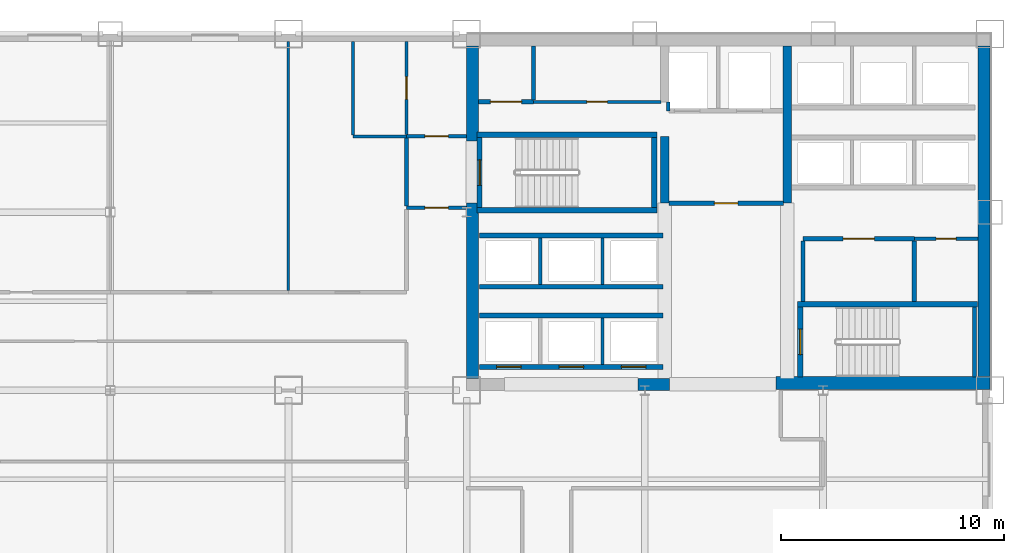
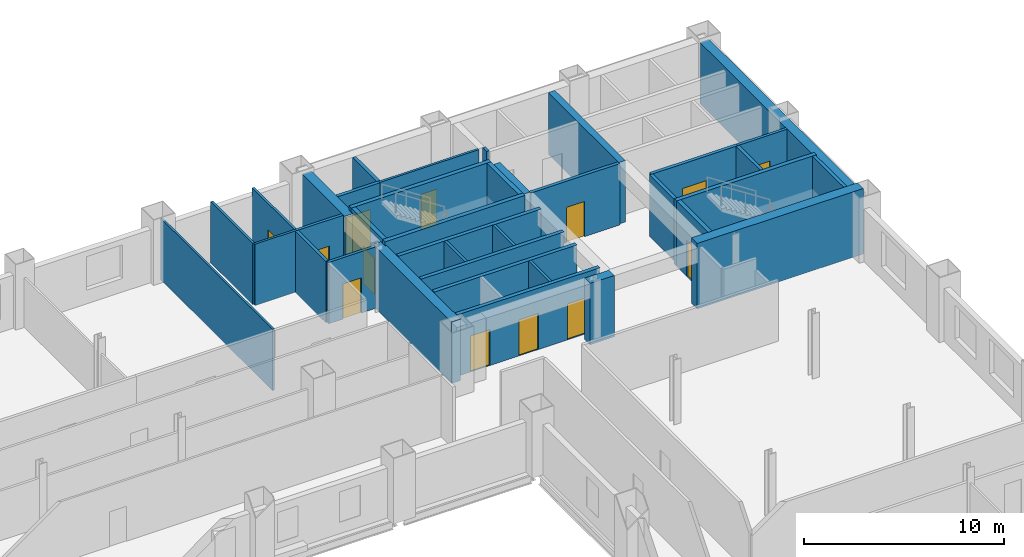
# One storey, part 6 of 9: 37 walls, 13 doors, 13 openings.
"""IFC4 building model written with IfcOpenShell, lengths in metres."""

from ifc_helpers import new_model, si_unit, direction, frame, frame_2d, origin, place, context, subcontext, project, spatial, rectangle, extrude, material, layer, layer_set, type_object, element, fill, save


model = new_model("IFC4")

# Units and contexts
model_context = context("Model", 3, precision=1e-05, world=origin(), true_north=direction((0.0, 1.0)))
body_context = subcontext(model_context, "Body", "Model", "MODEL_VIEW")
ifc_project = project(units=[si_unit("LENGTHUNIT", "METRE"), si_unit("AREAUNIT", "SQUARE_METRE"), si_unit("VOLUMEUNIT", "CUBIC_METRE"), si_unit("PLANEANGLEUNIT", "RADIAN"), si_unit("MASSUNIT", "GRAM", prefix="KILO")], contexts=[model_context])

# Site, building, storey
site_placement = place(None, origin())
site = spatial("IfcSite", under=ifc_project, at=site_placement, CompositionType="ELEMENT")
building_placement = place(site_placement, origin())
building = spatial("IfcBuilding", under=site, at=building_placement, Name="Qianrong Seaharbour Tower", CompositionType="ELEMENT")
storey_placement = place(building_placement, frame((0.0, 0.0, 48.199951171875)))
storey = spatial("IfcBuildingStorey", under=building, at=storey_placement, Name="L11", CompositionType="ELEMENT", Elevation=48.199951171875)

# Walls
ifc_material_1 = material(Name="Concrete C70/85", Category="concrete")
ifc_layer_1 = layer(ifc_material_1, 0.5400390625)
ifc_layer_set_1 = layer_set([ifc_layer_1], Name="Concrete C70/85")
wall_type_1 = type_object("IfcWallType", Name="WALL-CORE-540", PredefinedType="SHEAR", material=ifc_layer_set_1)
wall_1_placement = place(storey_placement, frame((63.72998046875, 36.320068359375, 0.0), z_axis=(0.0, 0.0, 1.0), x_axis=(0.0, 1.0, 0.0)))
element("IfcWall", 1, at=wall_1_placement, inside=storey, type_object=wall_type_1, Name="L11 East Core Shear Wall", PredefinedType="SHEAR", context=body_context, shape_type="SweptSolid", body=[
    extrude(rectangle(XDim=15.139892578125, YDim=0.5400390625, at=frame_2d((7.56982421875, 0.0))), origin(), (0.0, 0.0, 1.0), 3.75),
])
wall_2_placement = place(storey_placement, frame((40.77001953125, 36.5400390625, 0.0), z_axis=(0.0, 0.0, 1.0), x_axis=(0.0, 1.0, 0.0)))
element("IfcWall", 2, at=wall_2_placement, inside=storey, type_object=wall_type_1, Name="L11 West Core Shear Wall South", PredefinedType="SHEAR", context=body_context, shape_type="SweptSolid", body=[
    extrude(rectangle(XDim=7.85986328125, YDim=0.5400390625, at=frame_2d((3.929931640625, 0.0))), origin(), (0.0, 0.0, 1.0), 3.75),
])
wall_3_placement = place(storey_placement, frame((40.77001953125, 47.199951171875, 0.0), z_axis=(0.0, 0.0, 1.0), x_axis=(0.0, 1.0, 0.0)))
element("IfcWall", 3, at=wall_3_placement, inside=storey, type_object=wall_type_1, Name="L11 West Core Shear Wall North", PredefinedType="SHEAR", context=body_context, shape_type="SweptSolid", body=[
    extrude(rectangle(XDim=4.260009765625, YDim=0.5400390625, at=frame_2d((2.1298828125, 0.0))), origin(), (0.0, 0.0, 1.0), 3.75),
])
wall_4_placement = place(storey_placement, frame((48.199951171875, 36.27001953125, 0.0), z_axis=(0.0, 0.0, 1.0), x_axis=(1.0, 0.0, 0.0)))
element("IfcWall", 4, at=wall_4_placement, inside=storey, type_object=wall_type_1, Name="L11 South Core Shear Wall S2", PredefinedType="SHEAR", context=body_context, shape_type="SweptSolid", body=[
    extrude(rectangle(XDim=1.400146484375, YDim=0.5400390625, at=frame_2d((0.7001953125, 0.0))), origin(), (0.0, 0.0, 1.0), 3.75),
])
ifc_layer_2 = layer(ifc_material_1, 0.580078125)
ifc_layer_set_2 = layer_set([ifc_layer_2], Name="Concrete C70/85")
wall_type_2 = type_object("IfcWallType", Name="WALL-CORE-580", PredefinedType="SHEAR", material=ifc_layer_set_2)
wall_5_placement = place(storey_placement, frame((54.39990234375, 36.320068359375, 0.0), z_axis=(0.0, 0.0, 1.0), x_axis=(1.0, 0.0, 0.0)))
element("IfcWall", 5, at=wall_5_placement, inside=storey, type_object=wall_type_2, Name="L11 South Core Shear Wall S3", PredefinedType="SHEAR", context=body_context, shape_type="SweptSolid", body=[
    extrude(rectangle(XDim=9.60009765625, YDim=0.580078125, at=frame_2d((4.800048828125, 0.0))), origin(), (0.0, 0.0, 1.0), 4.0),
])
ifc_material_2 = material(Name="Concrete C60/75", Category="concrete")
ifc_layer_3 = layer(ifc_material_2, 0.3798828125)
ifc_layer_set_3 = layer_set([ifc_layer_3], Name="Concrete C60/75")
wall_type_3 = type_object("IfcWallType", Name="WALL-CORE-INT-380", PredefinedType="SHEAR", material=ifc_layer_set_3)
wall_6_placement = place(storey_placement, frame((49.39990234375, 44.39990234375, 0.0), z_axis=(0.0, 0.0, 1.0), x_axis=(0.0, 1.0, 0.0)))
element("IfcWall", 6, at=wall_6_placement, inside=storey, type_object=wall_type_3, Name="L11 Internal Core Shear Wall IW1N1", PredefinedType="SHEAR", context=body_context, shape_type="SweptSolid", body=[
    extrude(rectangle(XDim=3.0, YDim=0.3798828125, at=frame_2d((1.5, 0.0))), origin(), (0.0, 0.0, 1.0), 3.75),
])
wall_7_placement = place(storey_placement, frame((54.89990234375, 44.39990234375, 0.0), z_axis=(0.0, 0.0, 1.0), x_axis=(0.0, 1.0, 0.0)))
element("IfcWall", 7, at=wall_7_placement, inside=storey, type_object=wall_type_3, Name="L11 Internal Core Shear Wall IW2N", PredefinedType="SHEAR", context=body_context, shape_type="SweptSolid", body=[
    extrude(rectangle(XDim=7.06005859375, YDim=0.3798828125, at=frame_2d((3.530029296875, 0.0))), origin(), (0.0, 0.0, 1.0), 3.75),
])

# Wall, opening, door
ifc_material_3 = material(Name="Fire-rated acoustic gypsum board partition")
ifc_layer_4 = layer(ifc_material_3, 0.1650390625)
ifc_layer_set_4 = layer_set([ifc_layer_4], Name="Fire-rated acoustic gypsum board partition")
wall_type_4 = type_object("IfcWallType", Name="WALL-CORR-PART-165", PredefinedType="PARTITIONING", material=ifc_layer_set_4)
wall_8_placement = place(storey_placement, frame((37.800048828125, 47.39990234375, 0.0), z_axis=(0.0, 0.0, 1.0), x_axis=(1.0, 0.0, 0.0)))
wall_8 = element("IfcWall", 8, at=wall_8_placement, inside=storey, type_object=wall_type_4, Name="L11 Interior Partition Wall 001", PredefinedType="PARTITIONING", context=body_context, shape_type="SweptSolid", body=[
    extrude(rectangle(XDim=2.699951171875, YDim=0.1650390625, at=frame_2d((1.35009765625, 0.0))), origin(), (0.0, 0.0, 1.0), 3.75),
])
opening_1_placement = place(wall_8_placement, frame((0.824951171875, 0.0, 0.0)))
opening_1 = element("IfcOpeningElement", 9, at=opening_1_placement, cuts=wall_8, Name="Opening DC-01", PredefinedType="OPENING", context=body_context, shape_type="SweptSolid", body=[
    extrude(rectangle(XDim=1.050048828125, YDim=2.14990234375, at=frame_2d((0.52490234375, 1.074951171875))), frame((0.0, 0.092529296875, 0.0), z_axis=(0.0, -1.0, 0.0), x_axis=(1.0, 0.0, 0.0)), (0.0, 0.0, 1.0), 0.18505859375),
])
ifc_material_4 = material(Name="Acoustic timber and galvanized steel fire door assembly", Category="steel")
door_type_1 = type_object("IfcDoorType", Name="DOOR-CORR-FD60-1050x2150", OperationType="NOTDEFINED", PredefinedType="DOOR", material=ifc_material_4)
door_1_placement = place(opening_1_placement, origin())
door_1 = element("IfcDoor", 10, at=door_1_placement, inside=storey, type_object=door_type_1, Name="L11 Smokeproof Stair Vestibule ST-1 Door", OperationType="SINGLE_SWING_RIGHT", OverallHeight=2.14990234375, OverallWidth=1.050048828125, PredefinedType="DOOR", context=body_context, shape_type="SweptSolid", body=[
    extrude(rectangle(XDim=1.050048828125, YDim=2.14990234375, at=frame_2d((0.52490234375, 1.074951171875))), frame((0.0, 0.02490234375, 0.0), z_axis=(0.0, -1.0, 0.0), x_axis=(1.0, 0.0, 0.0)), (0.0, 0.0, 1.0), 0.050048828125),
])
fill(opening_1, door_1)

wall_9_placement = place(storey_placement, frame((40.5, 44.199951171875, 0.0), z_axis=(0.0, 0.0, 1.0), x_axis=(-1.0, 0.0, 0.0)))
wall_9 = element("IfcWall", 11, at=wall_9_placement, inside=storey, type_object=wall_type_4, Name="L11 Interior Partition Wall 002", PredefinedType="PARTITIONING", context=body_context, shape_type="SweptSolid", body=[
    extrude(rectangle(XDim=2.699951171875, YDim=0.1650390625, at=frame_2d((1.35009765625, 0.0))), origin(), (0.0, 0.0, 1.0), 3.75),
])
opening_2_placement = place(wall_9_placement, frame((0.824951171875, 0.0, 0.0)))
opening_2 = element("IfcOpeningElement", 12, at=opening_2_placement, cuts=wall_9, Name="Opening DC-01", PredefinedType="OPENING", context=body_context, shape_type="SweptSolid", body=[
    extrude(rectangle(XDim=1.050048828125, YDim=2.14990234375, at=frame_2d((0.52490234375, 1.074951171875))), frame((0.0, 0.092529296875, 0.0), z_axis=(0.0, -1.0, 0.0), x_axis=(1.0, 0.0, 0.0)), (0.0, 0.0, 1.0), 0.18505859375),
])
door_2_placement = place(opening_2_placement, origin())
door_2 = element("IfcDoor", 13, at=door_2_placement, inside=storey, type_object=door_type_1, Name="L11 Smokeproof Stair Vestibule ST-1 Door", OperationType="SINGLE_SWING_LEFT", OverallHeight=2.14990234375, OverallWidth=1.050048828125, PredefinedType="DOOR", context=body_context, shape_type="SweptSolid", body=[
    extrude(rectangle(XDim=1.050048828125, YDim=2.14990234375, at=frame_2d((0.52490234375, 1.074951171875))), frame((0.0, 0.02490234375, 0.0), z_axis=(0.0, -1.0, 0.0), x_axis=(1.0, 0.0, 0.0)), (0.0, 0.0, 1.0), 0.050048828125),
])
fill(opening_2, door_2)

# Wall
wall_10_placement = place(storey_placement, frame((37.800048828125, 44.2744140625, 0.0), z_axis=(0.0, 0.0, 1.0), x_axis=(0.0, 1.0, 0.0)))
element("IfcWall", 14, at=wall_10_placement, inside=storey, type_object=wall_type_4, Name="L11 Interior Partition Wall 003", PredefinedType="PARTITIONING", context=body_context, shape_type="SweptSolid", body=[
    extrude(rectangle(XDim=3.051025390625, YDim=0.1650390625, at=frame_2d((1.525390625, 0.0))), origin(), (0.0, 0.0, 1.0), 3.75),
])

# Wall, opening, door
wall_11_placement = place(storey_placement, frame((63.4599609375, 42.800048828125, 0.0), z_axis=(0.0, 0.0, 1.0), x_axis=(-1.0, 0.0, 0.0)))
wall_11 = element("IfcWall", 15, at=wall_11_placement, inside=storey, type_object=wall_type_4, Name="L11 Interior Partition Wall 012", PredefinedType="PARTITIONING", context=body_context, shape_type="SweptSolid", body=[
    extrude(rectangle(XDim=2.85986328125, YDim=0.1650390625, at=frame_2d((1.429931640625, 0.0))), origin(), (0.0, 0.0, 1.0), 3.75),
])
opening_3_placement = place(wall_11_placement, frame((0.97998046875, 0.0, 0.0)))
opening_3 = element("IfcOpeningElement", 16, at=opening_3_placement, cuts=wall_11, Name="Opening DS-01", PredefinedType="OPENING", context=body_context, shape_type="SweptSolid", body=[
    extrude(rectangle(XDim=0.89990234375, YDim=2.14990234375, at=frame_2d((0.449951171875, 1.074951171875))), frame((0.0, 0.092529296875, 0.0), z_axis=(0.0, -1.0, 0.0), x_axis=(1.0, 0.0, 0.0)), (0.0, 0.0, 1.0), 0.18505859375),
])
door_type_2 = type_object("IfcDoorType", Name="DOOR-STORE-900x2150", OperationType="NOTDEFINED", PredefinedType="DOOR", material=ifc_material_4)
door_3_placement = place(opening_3_placement, origin())
door_3 = element("IfcDoor", 17, at=door_3_placement, inside=storey, type_object=door_type_2, Name="L11 Housekeeping Linen Store Door", OperationType="SINGLE_SWING_LEFT", OverallHeight=2.14990234375, OverallWidth=0.89990234375, PredefinedType="DOOR", context=body_context, shape_type="SweptSolid", body=[
    extrude(rectangle(XDim=0.89990234375, YDim=2.14990234375, at=frame_2d((0.449951171875, 1.074951171875))), frame((0.0, 0.02490234375, 0.0), z_axis=(0.0, -1.0, 0.0), x_axis=(1.0, 0.0, 0.0)), (0.0, 0.0, 1.0), 0.050048828125),
])
fill(opening_3, door_3)

# Wall
ifc_material_5 = material(Name="Demountable aluminium-framed acoustic office partition", Category="aluminium")
ifc_layer_5 = layer(ifc_material_5, 0.110107421875)
ifc_layer_set_5 = layer_set([ifc_layer_5], Name="Demountable aluminium-framed acoustic office partition")
wall_type_5 = type_object("IfcWallType", Name="WALL-DEMOUNT-110", PredefinedType="MOVABLE", material=ifc_layer_set_5)
wall_12_placement = place(storey_placement, frame((32.5, 51.66796875, 0.0), z_axis=(0.0, 0.0, 1.0), x_axis=(0.0, -1.0, 0.0)))
element("IfcWall", 18, at=wall_12_placement, inside=storey, type_object=wall_type_5, Name="L11 Interior Partition Wall 040", PredefinedType="MOVABLE", context=body_context, shape_type="SweptSolid", body=[
    extrude(rectangle(XDim=11.193359375, YDim=0.110107421875, at=frame_2d((5.5966796875, 0.0))), origin(), (0.0, 0.0, 1.0), 3.75),
])

# Wall, opening, door
ifc_material_6 = material(Name="Double fire-rated gypsum board acoustic partition")
ifc_layer_6 = layer(ifc_material_6, 0.18994140625)
ifc_layer_set_6 = layer_set([ifc_layer_6], Name="Double fire-rated gypsum board acoustic partition")
wall_type_6 = type_object("IfcWallType", Name="WALL-FIRE-PART-190", PredefinedType="PARTITIONING", material=ifc_layer_set_6)
wall_13_placement = place(storey_placement, frame((41.0400390625, 48.949951171875, 0.0), z_axis=(0.0, 0.0, 1.0), x_axis=(1.0, 0.0, 0.0)))
wall_13 = element("IfcWall", 19, at=wall_13_placement, inside=storey, type_object=wall_type_6, Name="L11 Interior Partition Wall 007", PredefinedType="PARTITIONING", context=body_context, shape_type="SweptSolid", body=[
    extrude(rectangle(XDim=2.4599609375, YDim=0.18994140625, at=frame_2d((1.22998046875, 0.0))), origin(), (0.0, 0.0, 1.0), 3.75),
])
opening_4_placement = place(wall_13_placement, frame((0.530029296875, 0.0, 0.0)))
opening_4 = element("IfcOpeningElement", 20, at=opening_4_placement, cuts=wall_13, Name="Opening DP-01", PredefinedType="OPENING", context=body_context, shape_type="SweptSolid", body=[
    extrude(rectangle(XDim=1.39990234375, YDim=2.25, at=frame_2d((0.699951171875, 1.125))), frame((0.0, 0.10498046875, 0.0), z_axis=(0.0, -1.0, 0.0), x_axis=(1.0, 0.0, 0.0)), (0.0, 0.0, 1.0), 0.2099609375),
])
door_type_3 = type_object("IfcDoorType", Name="DOOR-PLANT-PAIR-1400x2250", OperationType="DOUBLE_DOOR_SINGLE_SWING", PredefinedType="DOOR", material=ifc_material_4)
door_4_placement = place(opening_4_placement, origin())
door_4 = element("IfcDoor", 21, at=door_4_placement, inside=storey, type_object=door_type_3, Name="L11 Core Electrical Closet Door", OperationType="DOUBLE_DOOR_SINGLE_SWING", OverallHeight=2.25, OverallWidth=1.39990234375, PredefinedType="DOOR", context=body_context, shape_type="SweptSolid", body=[
    extrude(rectangle(XDim=1.39990234375, YDim=2.25, at=frame_2d((0.699951171875, 1.125))), frame((0.0, 0.02490234375, 0.0), z_axis=(0.0, -1.0, 0.0), x_axis=(1.0, 0.0, 0.0)), (0.0, 0.0, 1.0), 0.050048828125),
])
fill(opening_4, door_4)

wall_14_placement = place(storey_placement, frame((54.718017578125, 44.39990234375, 0.0), z_axis=(0.0, 0.0, 1.0), x_axis=(-1.0, 0.0, 0.0)))
wall_14 = element("IfcWall", 22, at=wall_14_placement, inside=storey, type_object=wall_type_6, Name="L11 Interior Partition Wall 009", PredefinedType="PARTITIONING", context=body_context, shape_type="SweptSolid", body=[
    extrude(rectangle(XDim=5.135986328125, YDim=0.18994140625, at=frame_2d((2.56787109375, 0.0))), origin(), (0.0, 0.0, 1.0), 3.75),
])
opening_5_placement = place(wall_14_placement, frame((2.04296875, 0.0, 0.0)))
opening_5 = element("IfcOpeningElement", 23, at=opening_5_placement, cuts=wall_14, Name="Opening DC-01", PredefinedType="OPENING", context=body_context, shape_type="SweptSolid", body=[
    extrude(rectangle(XDim=1.050048828125, YDim=2.14990234375, at=frame_2d((0.52490234375, 1.074951171875))), frame((0.0, 0.10498046875, 0.0), z_axis=(0.0, -1.0, 0.0), x_axis=(1.0, 0.0, 0.0)), (0.0, 0.0, 1.0), 0.2099609375),
])
door_5_placement = place(opening_5_placement, origin())
door_5 = element("IfcDoor", 24, at=door_5_placement, inside=storey, type_object=door_type_1, Name="L11 Firefighting Lift Lobby Door", OperationType="SINGLE_SWING_LEFT", OverallHeight=2.14990234375, OverallWidth=1.050048828125, PredefinedType="DOOR", context=body_context, shape_type="SweptSolid", body=[
    extrude(rectangle(XDim=1.050048828125, YDim=2.14990234375, at=frame_2d((0.52490234375, 1.074951171875))), frame((0.0, 0.02490234375, 0.0), z_axis=(0.0, -1.0, 0.0), x_axis=(1.0, 0.0, 0.0)), (0.0, 0.0, 1.0), 0.050048828125),
])
fill(opening_5, door_5)

# Wall
wall_15_placement = place(storey_placement, frame((55.60009765625, 42.712890625, 0.0), z_axis=(0.0, 0.0, 1.0), x_axis=(0.0, -1.0, 0.0)))
element("IfcWall", 25, at=wall_15_placement, inside=storey, type_object=wall_type_6, Name="L11 Interior Partition Wall 010", PredefinedType="PARTITIONING", context=body_context, shape_type="SweptSolid", body=[
    extrude(rectangle(XDim=2.73095703125, YDim=0.18994140625, at=frame_2d((1.365478515625, 0.0))), origin(), (0.0, 0.0, 1.0), 3.75),
])

# Wall, opening, door
wall_16_placement = place(storey_placement, frame((60.60009765625, 42.800048828125, 0.0), z_axis=(0.0, 0.0, 1.0), x_axis=(-1.0, 0.0, 0.0)))
wall_16 = element("IfcWall", 26, at=wall_16_placement, inside=storey, type_object=wall_type_6, Name="L11 Interior Partition Wall 011", PredefinedType="PARTITIONING", context=body_context, shape_type="SweptSolid", body=[
    extrude(rectangle(XDim=5.0, YDim=0.18994140625, at=frame_2d((2.5, 0.0))), origin(), (0.0, 0.0, 1.0), 3.75),
])
opening_6_placement = place(wall_16_placement, frame((1.800048828125, 0.0, 0.0)))
opening_6 = element("IfcOpeningElement", 27, at=opening_6_placement, cuts=wall_16, Name="Opening DP-01", PredefinedType="OPENING", context=body_context, shape_type="SweptSolid", body=[
    extrude(rectangle(XDim=1.39990234375, YDim=2.25, at=frame_2d((0.699951171875, 1.125))), frame((0.0, 0.10498046875, 0.0), z_axis=(0.0, -1.0, 0.0), x_axis=(1.0, 0.0, 0.0)), (0.0, 0.0, 1.0), 0.2099609375),
])
door_6_placement = place(opening_6_placement, origin())
door_6 = element("IfcDoor", 28, at=door_6_placement, inside=storey, type_object=door_type_3, Name="L11 Submetering Switch Room Door", OperationType="DOUBLE_DOOR_SINGLE_SWING", OverallHeight=2.25, OverallWidth=1.39990234375, PredefinedType="DOOR", context=body_context, shape_type="SweptSolid", body=[
    extrude(rectangle(XDim=1.39990234375, YDim=2.25, at=frame_2d((0.699951171875, 1.125))), frame((0.0, 0.02490234375, 0.0), z_axis=(0.0, -1.0, 0.0), x_axis=(1.0, 0.0, 0.0)), (0.0, 0.0, 1.0), 0.050048828125),
])
fill(opening_6, door_6)

# Walls
wall_17_placement = place(storey_placement, frame((43.5, 51.4599609375, 0.0), z_axis=(0.0, 0.0, 1.0), x_axis=(0.0, -1.0, 0.0)))
element("IfcWall", 29, at=wall_17_placement, inside=storey, type_object=wall_type_6, Name="L11 Interior Partition Wall 013", PredefinedType="PARTITIONING", context=body_context, shape_type="SweptSolid", body=[
    extrude(rectangle(XDim=2.4228515625, YDim=0.18994140625, at=frame_2d((1.21142578125, 0.0))), origin(), (0.0, 0.0, 1.0), 3.75),
])
wall_18_placement = place(storey_placement, frame((60.60009765625, 42.712890625, 0.0), z_axis=(0.0, 0.0, 1.0), x_axis=(0.0, -1.0, 0.0)))
element("IfcWall", 30, at=wall_18_placement, inside=storey, type_object=wall_type_6, Name="L11 Interior Partition Wall 014", PredefinedType="PARTITIONING", context=body_context, shape_type="SweptSolid", body=[
    extrude(rectangle(XDim=2.73095703125, YDim=0.18994140625, at=frame_2d((1.365478515625, 0.0))), origin(), (0.0, 0.0, 1.0), 3.75),
])
ifc_material_7 = material(Name="Fire-rated gypsum board on steel studs", Category="steel")
ifc_layer_7 = layer(ifc_material_7, 0.14990234375)
ifc_layer_set_7 = layer_set([ifc_layer_7], Name="Fire-rated gypsum board on steel studs")
wall_type_7 = type_object("IfcWallType", Name="WALL-SHAFT-DIV-150", PredefinedType="PARTITIONING", material=ifc_layer_set_7)
wall_19_placement = place(storey_placement, frame((49.550048828125, 48.550048828125, 0.0), z_axis=(0.0, 0.0, 1.0), x_axis=(0.0, 1.0, 0.0)))
element("IfcWall", 31, at=wall_19_placement, inside=storey, type_object=wall_type_7, Name="L11 Firefighting Lift Shaft West Return Wall", PredefinedType="PARTITIONING", context=body_context, shape_type="SweptSolid", body=[
    extrude(rectangle(XDim=0.39990234375, YDim=0.14990234375, at=frame_2d((0.199951171875, 0.0))), origin(), (0.0, 0.0, 1.0), 3.75),
])
for number, where, z_axis, x_axis, name in (
    (32, (46.60009765625, 37.159912109375, 0.0), (0.0, 0.0, 1.0), (0.0, 1.0, 0.0), "L11 P1 Lift Hoistway Divider 3"),
    (33, (43.800048828125, 40.760009765625, 0.0), (0.0, 0.0, 1.0), (0.0, 1.0, 0.0), "L11 P2 Lift Hoistway Divider 2"),
    (34, (46.60009765625, 40.760009765625, 0.0), (0.0, 0.0, 1.0), (0.0, 1.0, 0.0), "L11 P2 Lift Hoistway Divider 3"),
):
    element("IfcWall", number, at=place(storey_placement, frame(where, z_axis=z_axis, x_axis=x_axis)), inside=storey, type_object=wall_type_7, Name=name, PredefinedType="PARTITIONING", context=body_context, shape_type="SweptSolid", body=[
        extrude(rectangle(XDim=2.080078125, YDim=0.14990234375, at=frame_2d((1.0400390625, 0.0))), origin(), (0.0, 0.0, 1.0), 3.75),
    ])

# Wall, openings, doors
ifc_layer_8 = layer(ifc_material_7, 0.219970703125)
ifc_layer_set_8 = layer_set([ifc_layer_8], Name="Fire-rated gypsum board on steel studs")
wall_type_8 = type_object("IfcWallType", Name="WALL-SHAFT-GYP220", PredefinedType="PARTITIONING", material=ifc_layer_set_8)
wall_20_placement = place(storey_placement, frame((49.320068359375, 37.050048828125, 0.0), z_axis=(0.0, 0.0, 1.0), x_axis=(-1.0, 0.0, 0.0)))
wall_20 = element("IfcWall", 35, at=wall_20_placement, inside=storey, type_object=wall_type_8, Name="L11 P1 Lift Hoistway Front Wall", PredefinedType="PARTITIONING", context=body_context, shape_type="SweptSolid", body=[
    extrude(rectangle(XDim=8.239990234375, YDim=0.219970703125, at=frame_2d((4.1201171875, 0.0))), origin(), (0.0, 0.0, 1.0), 3.75),
])
opening_7_placement = place(wall_20_placement, frame((6.3701171875, 0.0, 0.0)))
opening_7 = element("IfcOpeningElement", 36, at=opening_7_placement, cuts=wall_20, Name="Opening LD-02", PredefinedType="OPENING", context=body_context, shape_type="SweptSolid", body=[
    extrude(rectangle(XDim=1.10009765625, YDim=2.199951171875, at=frame_2d((0.550048828125, 1.10009765625))), frame((0.0, 0.1201171875, 0.0), z_axis=(0.0, -1.0, 0.0), x_axis=(1.0, 0.0, 0.0)), (0.0, 0.0, 1.0), 0.239990234375),
])
opening_8_placement = place(wall_20_placement, frame((3.570068359375, 0.0, 0.0)))
opening_8 = element("IfcOpeningElement", 37, at=opening_8_placement, cuts=wall_20, Name="Opening LD-02", PredefinedType="OPENING", context=body_context, shape_type="SweptSolid", body=[
    extrude(rectangle(XDim=1.10009765625, YDim=2.199951171875, at=frame_2d((0.550048828125, 1.10009765625))), frame((0.0, 0.1201171875, 0.0), z_axis=(0.0, -1.0, 0.0), x_axis=(1.0, 0.0, 0.0)), (0.0, 0.0, 1.0), 0.239990234375),
])
opening_9_placement = place(wall_20_placement, frame((0.77001953125, 0.0, 0.0)))
opening_9 = element("IfcOpeningElement", 38, at=opening_9_placement, cuts=wall_20, Name="Opening LD-02", PredefinedType="OPENING", context=body_context, shape_type="SweptSolid", body=[
    extrude(rectangle(XDim=1.10009765625, YDim=2.199951171875, at=frame_2d((0.550048828125, 1.10009765625))), frame((0.0, 0.1201171875, 0.0), z_axis=(0.0, -1.0, 0.0), x_axis=(1.0, 0.0, 0.0)), (0.0, 0.0, 1.0), 0.239990234375),
])
ifc_material_8 = material(Name="Stainless steel SUS316L bi-parting lift landing door", Category="steel")
door_type_4 = type_object("IfcDoorType", Name="DOOR-LIFT-PASS-1100x2200", OperationType="DOUBLE_DOOR_SLIDING", PredefinedType="DOOR", material=ifc_material_8)
door_7_placement = place(opening_7_placement, origin())
door_7 = element("IfcDoor", 39, at=door_7_placement, inside=storey, type_object=door_type_4, Name="L11 PL-1A Lift Landing Door", OperationType="DOUBLE_DOOR_SLIDING", OverallHeight=2.199951171875, OverallWidth=1.10009765625, PredefinedType="DOOR", context=body_context, shape_type="SweptSolid", body=[
    extrude(rectangle(XDim=1.10009765625, YDim=2.199951171875, at=frame_2d((0.550048828125, 1.10009765625))), frame((0.0, 0.02490234375, 0.0), z_axis=(0.0, -1.0, 0.0), x_axis=(1.0, 0.0, 0.0)), (0.0, 0.0, 1.0), 0.050048828125),
])
fill(opening_7, door_7)
door_8_placement = place(opening_8_placement, origin())
door_8 = element("IfcDoor", 40, at=door_8_placement, inside=storey, type_object=door_type_4, Name="L11 PL-1B Lift Landing Door", OperationType="DOUBLE_DOOR_SLIDING", OverallHeight=2.199951171875, OverallWidth=1.10009765625, PredefinedType="DOOR", context=body_context, shape_type="SweptSolid", body=[
    extrude(rectangle(XDim=1.10009765625, YDim=2.199951171875, at=frame_2d((0.550048828125, 1.10009765625))), frame((0.0, 0.02490234375, 0.0), z_axis=(0.0, -1.0, 0.0), x_axis=(1.0, 0.0, 0.0)), (0.0, 0.0, 1.0), 0.050048828125),
])
fill(opening_8, door_8)
door_9_placement = place(opening_9_placement, origin())
door_9 = element("IfcDoor", 41, at=door_9_placement, inside=storey, type_object=door_type_4, Name="L11 PL-1C Lift Landing Door", OperationType="DOUBLE_DOOR_SLIDING", OverallHeight=2.199951171875, OverallWidth=1.10009765625, PredefinedType="DOOR", context=body_context, shape_type="SweptSolid", body=[
    extrude(rectangle(XDim=1.10009765625, YDim=2.199951171875, at=frame_2d((0.550048828125, 1.10009765625))), frame((0.0, 0.02490234375, 0.0), z_axis=(0.0, -1.0, 0.0), x_axis=(1.0, 0.0, 0.0)), (0.0, 0.0, 1.0), 0.050048828125),
])
fill(opening_9, door_9)

# Walls
for number, where, z_axis, x_axis, name in (
    (42, (41.080078125, 39.35009765625, 0.0), (0.0, 0.0, 1.0), (1.0, 0.0, 0.0), "L11 P1 Lift Hoistway Back Wall"),
    (43, (49.320068359375, 40.64990234375, 0.0), (0.0, 0.0, 1.0), (-1.0, 0.0, 0.0), "L11 P2 Lift Hoistway Front Wall"),
    (44, (41.080078125, 42.949951171875, 0.0), (0.0, 0.0, 1.0), (1.0, 0.0, 0.0), "L11 P2 Lift Hoistway Back Wall"),
):
    element("IfcWall", number, at=place(storey_placement, frame(where, z_axis=z_axis, x_axis=x_axis)), inside=storey, type_object=wall_type_8, Name=name, PredefinedType="PARTITIONING", context=body_context, shape_type="SweptSolid", body=[
        extrude(rectangle(XDim=8.239990234375, YDim=0.219970703125, at=frame_2d((4.1201171875, 0.0))), origin(), (0.0, 0.0, 1.0), 3.75),
    ])
ifc_material_9 = material(Name="Concrete C50/60", Category="concrete")
ifc_layer_9 = layer(ifc_material_9, 0.239990234375)
ifc_layer_set_9 = layer_set([ifc_layer_9], Name="Concrete C50/60")
wall_type_9 = type_object("IfcWallType", Name="WALL-SHAFT-RC240", PredefinedType="SOLIDWALL", material=ifc_layer_set_9)
for number, where, z_axis, x_axis, name in (
    (45, (40.9599609375, 47.469970703125, 0.0), (0.0, 0.0, 1.0), (1.0, 0.0, 0.0), "L11 ST-1 Structural Stair Core Wall N"),
    (46, (49.0400390625, 44.080078125, 0.0), (0.0, 0.0, 1.0), (-1.0, 0.0, 0.0), "L11 ST-1 Structural Stair Core Wall S"),
):
    element("IfcWall", number, at=place(storey_placement, frame(where, z_axis=z_axis, x_axis=x_axis)), inside=storey, type_object=wall_type_9, Name=name, PredefinedType="SOLIDWALL", context=body_context, shape_type="SweptSolid", body=[
        extrude(rectangle(XDim=8.080078125, YDim=0.239990234375, at=frame_2d((4.0400390625, 0.0))), origin(), (0.0, 0.0, 1.0), 4.0),
    ])

# Wall, opening, door
wall_21_placement = place(storey_placement, frame((41.080078125, 47.35009765625, 0.0), z_axis=(0.0, 0.0, 1.0), x_axis=(0.0, -1.0, 0.0)))
wall_21 = element("IfcWall", 47, at=wall_21_placement, inside=storey, type_object=wall_type_9, Name="L11 ST-1 Structural Stair Core Wall W", PredefinedType="SOLIDWALL", context=body_context, shape_type="SweptSolid", body=[
    extrude(rectangle(XDim=3.150146484375, YDim=0.239990234375, at=frame_2d((1.5751953125, 0.0))), origin(), (0.0, 0.0, 1.0), 4.0),
])
opening_10_placement = place(wall_21_placement, frame((1.0, 0.0, 0.0)))
opening_10 = element("IfcOpeningElement", 48, at=opening_10_placement, cuts=wall_21, Name="Opening SD-01", PredefinedType="OPENING", context=body_context, shape_type="SweptSolid", body=[
    extrude(rectangle(XDim=1.14990234375, YDim=2.199951171875, at=frame_2d((0.574951171875, 1.10009765625))), frame((0.0, 0.1298828125, 0.0), z_axis=(0.0, -1.0, 0.0), x_axis=(1.0, 0.0, 0.0)), (0.0, 0.0, 1.0), 0.260009765625),
])
door_type_5 = type_object("IfcDoorType", Name="DOOR-STAIR-FD60-1150x2200", OperationType="NOTDEFINED", PredefinedType="DOOR", material=ifc_material_4)
door_10_placement = place(opening_10_placement, origin())
door_10 = element("IfcDoor", 49, at=door_10_placement, inside=storey, type_object=door_type_5, Name="L11 ST-1 Protected Stair Door", OperationType="SINGLE_SWING_RIGHT", OverallHeight=2.199951171875, OverallWidth=1.14990234375, PredefinedType="DOOR", context=body_context, shape_type="SweptSolid", body=[
    extrude(rectangle(XDim=1.14990234375, YDim=2.199951171875, at=frame_2d((0.574951171875, 1.10009765625))), frame((0.0, 0.02490234375, 0.0), z_axis=(0.0, -1.0, 0.0), x_axis=(1.0, 0.0, 0.0)), (0.0, 0.0, 1.0), 0.050048828125),
])
fill(opening_10, door_10)

# Walls
wall_22_placement = place(storey_placement, frame((48.919921875, 44.199951171875, 0.0), z_axis=(0.0, 0.0, 1.0), x_axis=(0.0, 1.0, 0.0)))
element("IfcWall", 50, at=wall_22_placement, inside=storey, type_object=wall_type_9, Name="L11 ST-1 Structural Stair Core Wall E", PredefinedType="SOLIDWALL", context=body_context, shape_type="SweptSolid", body=[
    extrude(rectangle(XDim=3.150146484375, YDim=0.239990234375, at=frame_2d((1.5751953125, 0.0))), origin(), (0.0, 0.0, 1.0), 4.0),
])
wall_23_placement = place(storey_placement, frame((55.360107421875, 39.8701171875, 0.0), z_axis=(0.0, 0.0, 1.0), x_axis=(1.0, 0.0, 0.0)))
element("IfcWall", 51, at=wall_23_placement, inside=storey, type_object=wall_type_9, Name="L11 ST-2 Structural Stair Core Wall N", PredefinedType="SOLIDWALL", context=body_context, shape_type="SweptSolid", body=[
    extrude(rectangle(XDim=8.079833984375, YDim=0.239990234375, at=frame_2d((4.0400390625, 0.0))), origin(), (0.0, 0.0, 1.0), 4.0),
])

# Wall, opening, door
wall_24_placement = place(storey_placement, frame((55.47998046875, 39.75, 0.0), z_axis=(0.0, 0.0, 1.0), x_axis=(0.0, -1.0, 0.0)))
wall_24 = element("IfcWall", 52, at=wall_24_placement, inside=storey, type_object=wall_type_9, Name="L11 ST-2 Structural Stair Core Wall W", PredefinedType="SOLIDWALL", context=body_context, shape_type="SweptSolid", body=[
    extrude(rectangle(XDim=3.14990234375, YDim=0.239990234375, at=frame_2d((1.574951171875, 0.0))), origin(), (0.0, 0.0, 1.0), 4.0),
])
opening_11_placement = place(wall_24_placement, frame((1.0, 0.0, 0.0)))
opening_11 = element("IfcOpeningElement", 53, at=opening_11_placement, cuts=wall_24, Name="Opening SD-01", PredefinedType="OPENING", context=body_context, shape_type="SweptSolid", body=[
    extrude(rectangle(XDim=1.14990234375, YDim=2.199951171875, at=frame_2d((0.574951171875, 1.10009765625))), frame((0.0, 0.1298828125, 0.0), z_axis=(0.0, -1.0, 0.0), x_axis=(1.0, 0.0, 0.0)), (0.0, 0.0, 1.0), 0.260009765625),
])
door_11_placement = place(opening_11_placement, origin())
door_11 = element("IfcDoor", 54, at=door_11_placement, inside=storey, type_object=door_type_5, Name="L11 ST-2 Protected Stair Door", OperationType="SINGLE_SWING_RIGHT", OverallHeight=2.199951171875, OverallWidth=1.14990234375, PredefinedType="DOOR", context=body_context, shape_type="SweptSolid", body=[
    extrude(rectangle(XDim=1.14990234375, YDim=2.199951171875, at=frame_2d((0.574951171875, 1.10009765625))), frame((0.0, 0.02490234375, 0.0), z_axis=(0.0, -1.0, 0.0), x_axis=(1.0, 0.0, 0.0)), (0.0, 0.0, 1.0), 0.050048828125),
])
fill(opening_11, door_11)

# Wall
wall_25_placement = place(storey_placement, frame((63.2900390625, 36.60009765625, 0.0), z_axis=(0.0, 0.0, 1.0), x_axis=(0.0, 1.0, 0.0)))
element("IfcWall", 55, at=wall_25_placement, inside=storey, type_object=wall_type_9, Name="L11 ST-2 Structural Stair Core Wall E", PredefinedType="SOLIDWALL", context=body_context, shape_type="SweptSolid", body=[
    extrude(rectangle(XDim=3.14990234375, YDim=0.179931640625, at=frame_2d((1.574951171875, 0.0))), origin(), (0.0, 0.0, 1.0), 4.0),
])

# Wall, opening, door
ifc_material_10 = material(Name="Water-resistant cement board sanitary partition")
ifc_layer_10 = layer(ifc_material_10, 0.1298828125)
ifc_layer_set_10 = layer_set([ifc_layer_10], Name="Water-resistant cement board sanitary partition")
wall_type_10 = type_object("IfcWallType", Name="WALL-WET-PART-130", PredefinedType="PARTITIONING", material=ifc_layer_set_10)
wall_26_placement = place(storey_placement, frame((37.800048828125, 47.474609375, 0.0), z_axis=(0.0, 0.0, 1.0), x_axis=(0.0, 1.0, 0.0)))
wall_26 = element("IfcWall", 56, at=wall_26_placement, inside=storey, type_object=wall_type_10, Name="L11 Interior Partition Wall 004", PredefinedType="PARTITIONING", context=body_context, shape_type="SweptSolid", body=[
    extrude(rectangle(XDim=4.193359375, YDim=0.1298828125, at=frame_2d((2.0966796875, 0.0))), origin(), (0.0, 0.0, 1.0), 3.75),
])
opening_12_placement = place(wall_26_placement, frame((1.5869140625, 0.0, 0.0)))
opening_12 = element("IfcOpeningElement", 57, at=opening_12_placement, cuts=wall_26, Name="Opening DAW-01", PredefinedType="OPENING", context=body_context, shape_type="SweptSolid", body=[
    extrude(rectangle(XDim=1.02001953125, YDim=2.14990234375, at=frame_2d((0.510009765625, 1.074951171875))), frame((0.0, 0.074951171875, 0.0), z_axis=(0.0, -1.0, 0.0), x_axis=(1.0, 0.0, 0.0)), (0.0, 0.0, 1.0), 0.14990234375),
])
door_type_6 = type_object("IfcDoorType", Name="DOOR-AWC-SLIDE-1020x2150", OperationType="SLIDING_TO_LEFT", PredefinedType="DOOR", material=ifc_material_4)
door_12_placement = place(opening_12_placement, origin())
door_12 = element("IfcDoor", 58, at=door_12_placement, inside=storey, type_object=door_type_6, Name="L11 Accessible Restroom WC Door", OperationType="SLIDING_TO_LEFT", OverallHeight=2.14990234375, OverallWidth=1.02001953125, PredefinedType="DOOR", context=body_context, shape_type="SweptSolid", body=[
    extrude(rectangle(XDim=1.02001953125, YDim=2.14990234375, at=frame_2d((0.510009765625, 1.074951171875))), frame((0.0, 0.02490234375, 0.0), z_axis=(0.0, -1.0, 0.0), x_axis=(1.0, 0.0, 0.0)), (0.0, 0.0, 1.0), 0.050048828125),
])
fill(opening_12, door_12)

# Walls
wall_27_placement = place(storey_placement, frame((37.800048828125, 47.39990234375, 0.0), z_axis=(0.0, 0.0, 1.0), x_axis=(-1.0, 0.0, 0.0)))
element("IfcWall", 59, at=wall_27_placement, inside=storey, type_object=wall_type_10, Name="L11 Interior Partition Wall 005", PredefinedType="PARTITIONING", context=body_context, shape_type="SweptSolid", body=[
    extrude(rectangle(XDim=2.400146484375, YDim=0.1298828125, at=frame_2d((1.2001953125, 0.0))), origin(), (0.0, 0.0, 1.0), 3.75),
])
wall_28_placement = place(storey_placement, frame((35.39990234375, 47.45703125, 0.0), z_axis=(0.0, 0.0, 1.0), x_axis=(0.0, 1.0, 0.0)))
element("IfcWall", 60, at=wall_28_placement, inside=storey, type_object=wall_type_10, Name="L11 Interior Partition Wall 006", PredefinedType="PARTITIONING", context=body_context, shape_type="SweptSolid", body=[
    extrude(rectangle(XDim=4.2109375, YDim=0.1298828125, at=frame_2d((2.10546875, 0.0))), origin(), (0.0, 0.0, 1.0), 3.75),
])

# Wall, opening, door
wall_29_placement = place(storey_placement, frame((43.5, 48.949951171875, 0.0), z_axis=(0.0, 0.0, 1.0), x_axis=(1.0, 0.0, 0.0)))
wall_29 = element("IfcWall", 61, at=wall_29_placement, inside=storey, type_object=wall_type_10, Name="L11 Interior Partition Wall 008", PredefinedType="PARTITIONING", context=body_context, shape_type="SweptSolid", body=[
    extrude(rectangle(XDim=5.718017578125, YDim=0.1298828125, at=frame_2d((2.85888671875, 0.0))), origin(), (0.0, 0.0, 1.0), 3.75),
])
opening_13_placement = place(wall_29_placement, frame((2.39892578125, 0.0, 0.0)))
opening_13 = element("IfcOpeningElement", 62, at=opening_13_placement, cuts=wall_29, Name="Opening DW-01", PredefinedType="OPENING", context=body_context, shape_type="SweptSolid", body=[
    extrude(rectangle(XDim=0.919921875, YDim=2.14990234375, at=frame_2d((0.4599609375, 1.074951171875))), frame((0.0, 0.074951171875, 0.0), z_axis=(0.0, -1.0, 0.0), x_axis=(1.0, 0.0, 0.0)), (0.0, 0.0, 1.0), 0.14990234375),
])
door_type_7 = type_object("IfcDoorType", Name="DOOR-WC-920x2150", OperationType="NOTDEFINED", PredefinedType="DOOR", material=ifc_material_4)
door_13_placement = place(opening_13_placement, origin())
door_13 = element("IfcDoor", 63, at=door_13_placement, inside=storey, type_object=door_type_7, Name="L11 Staff Restroom WC Door", OperationType="SINGLE_SWING_RIGHT", OverallHeight=2.14990234375, OverallWidth=0.919921875, PredefinedType="DOOR", context=body_context, shape_type="SweptSolid", body=[
    extrude(rectangle(XDim=0.919921875, YDim=2.14990234375, at=frame_2d((0.4599609375, 1.074951171875))), frame((0.0, 0.02490234375, 0.0), z_axis=(0.0, -1.0, 0.0), x_axis=(1.0, 0.0, 0.0)), (0.0, 0.0, 1.0), 0.050048828125),
])
fill(opening_13, door_13)

save(model, "model.ifc")
